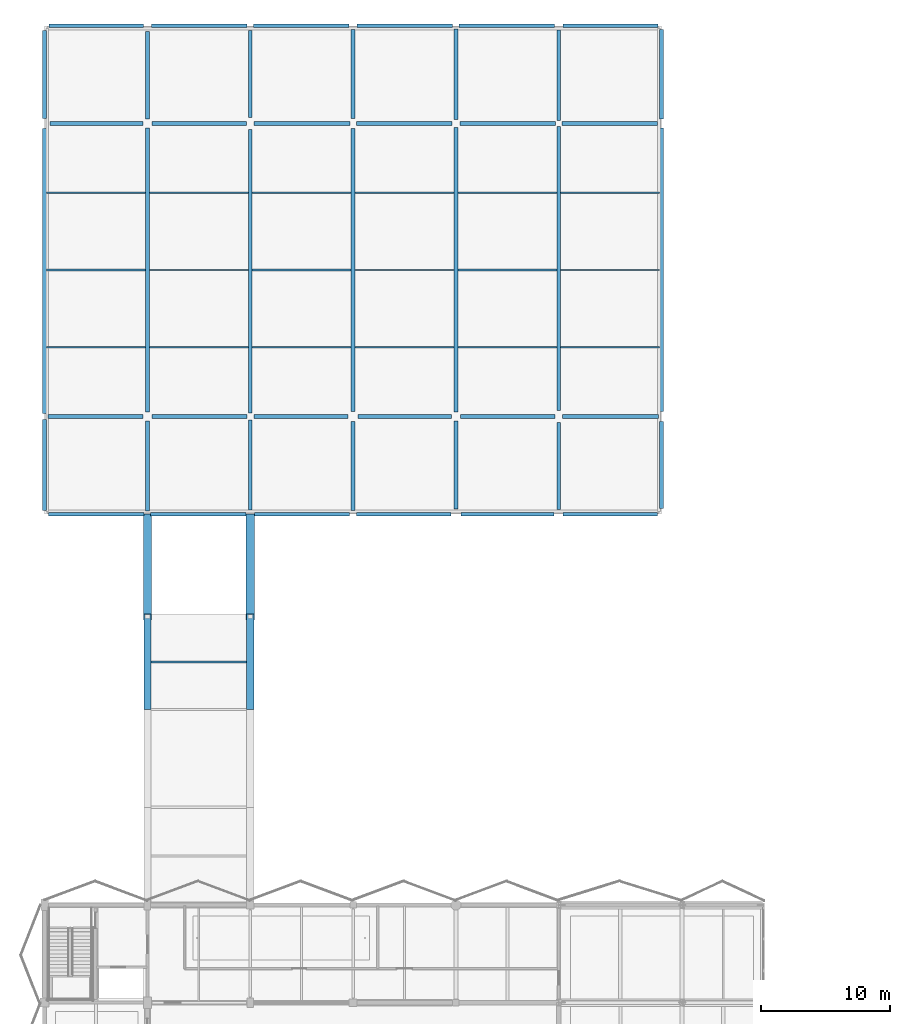
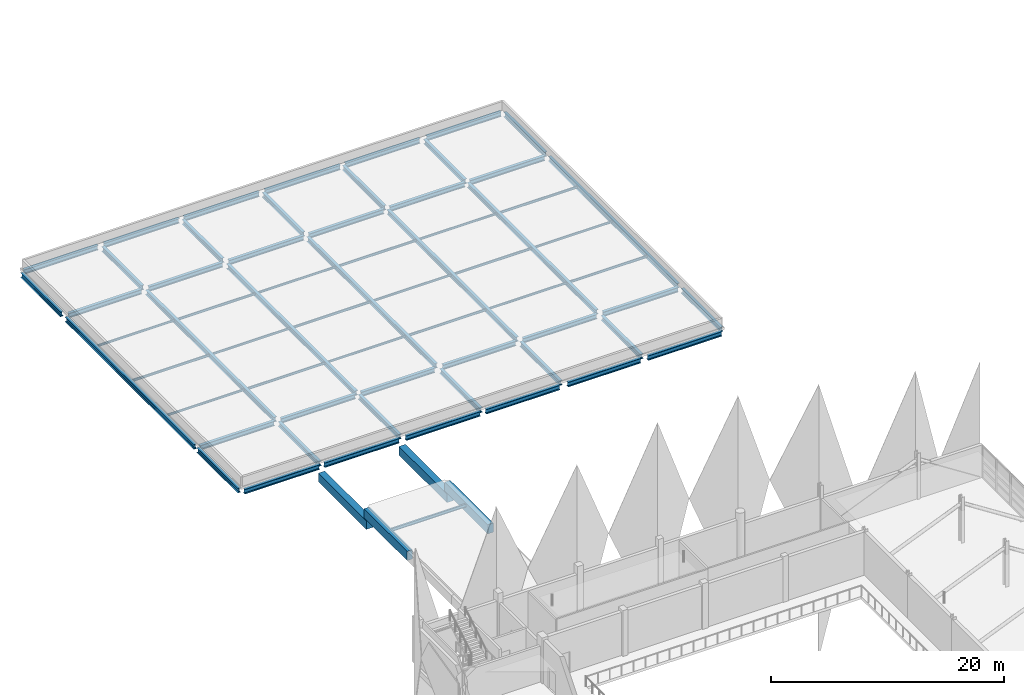
# One storey, part 24 of 107: 50 beams, 18 members.
"""IFC4 building model written with IfcOpenShell, lengths in metres."""

from ifc_helpers import new_model, si_unit, direction, frame, origin, origin_2d, place, context, subcontext, project, spatial, rectangle, i_section, extrude, material, material_profile, profile_set, type_object, element, save


model = new_model("IFC4")

# Units and contexts
model_context = context("Model", 3, precision=1e-05, world=origin(), true_north=direction((0.0, 1.0)))
body_context = subcontext(model_context, "Body", "Model", "MODEL_VIEW")
ifc_project = project(units=[si_unit("LENGTHUNIT", "METRE"), si_unit("AREAUNIT", "SQUARE_METRE"), si_unit("VOLUMEUNIT", "CUBIC_METRE"), si_unit("PLANEANGLEUNIT", "RADIAN"), si_unit("MASSUNIT", "GRAM", prefix="KILO")], contexts=[model_context])

# Site, building, storey
site_placement = place(None, origin())
site = spatial("IfcSite", under=ifc_project, at=site_placement, CompositionType="ELEMENT")
building_placement = place(site_placement, origin())
building = spatial("IfcBuilding", under=site, at=building_placement, Name="Khelvaren Railside Concert Hall", CompositionType="ELEMENT")
storey_placement = place(building_placement, frame((0.0, 0.0, 15.0)))
storey = spatial("IfcBuildingStorey", under=building, at=storey_placement, Name="L03", CompositionType="ELEMENT", Elevation=15.0)

# Beams
ifc_material_1 = material(Name="Concrete C40/50", Category="concrete")
ifc_material_profile_1 = material_profile(ifc_material_1, rectangle(XDim=0.64990234375, YDim=0.89990234375, at=origin_2d()), Name="RCB 650x900")
ifc_profile_set_1 = profile_set([ifc_material_profile_1], Name="Concrete C40/50")
beam_type_1 = type_object("IfcBeamType", Name="BM18", PredefinedType="BEAM", material=ifc_profile_set_1)
for number, where, z_axis, x_axis, name in (
    (1, (8.0, 67.75, -1.639892578125), (0.0, 1.0, 0.0), (-1.0, 0.0, 0.0), "West Court Chamber Link Bridge L03 Seismic Corbel Seat 1"),
    (2, (16.0, 67.75, -1.639892578125), (0.0, 1.0, 0.0), (-1.0, 0.0, 0.0), "West Court Chamber Link Bridge L03 Seismic Corbel Seat 2"),
):
    element("IfcBeam", number, at=place(storey_placement, frame(where, z_axis=z_axis, x_axis=x_axis)), inside=storey, type_object=beam_type_1, Name=name, PredefinedType="BEAM", context=body_context, shape_type="SweptSolid", body=[
        extrude(rectangle(XDim=0.64990234375, YDim=0.89990234375, at=origin_2d()), origin(), (0.0, 0.0, 1.0), 8.25),
    ])
ifc_material_2 = material(Name="Steel S355", Category="steel")
ifc_material_profile_2 = material_profile(ifc_material_2, i_section(OverallWidth=0.300048828125, OverallDepth=0.489990234375, WebThickness=0.011962890625, FlangeThickness=0.02294921875, FilletRadius=0.027099609375, at=origin_2d()), Name="HEA 500")
ifc_profile_set_2 = profile_set([ifc_material_profile_2], Name="Steel S355")
beam_type_2 = type_object("IfcBeamType", Name="BM92", PredefinedType="BEAM", material=ifc_profile_set_2)
beam_1_placement = place(storey_placement, frame((0.0, 76.300048828125, -0.485107421875), z_axis=(0.0, 1.0, 0.0), x_axis=(-1.0, 0.0, 0.0)))
element("IfcBeam", 3, at=beam_1_placement, inside=storey, type_object=beam_type_2, Name="V4 Acoustic Roof Girder X=0 (76.0-83.6)", PredefinedType="BEAM", context=body_context, shape_type="SweptSolid", body=[
    extrude(i_section(OverallWidth=0.300048828125, OverallDepth=0.489990234375, WebThickness=0.011962890625, FlangeThickness=0.02294921875, FilletRadius=0.027099609375, at=origin_2d()), origin(), (0.0, 0.0, 1.0), 7.050048828125),
])
beam_2_placement = place(storey_placement, frame((0.0, 83.85009765625, -0.485107421875), z_axis=(0.0, 1.0, 0.0), x_axis=(-1.0, 0.0, 0.0)))
element("IfcBeam", 4, at=beam_2_placement, inside=storey, type_object=beam_type_2, Name="V4 Acoustic Roof Girder X=0 (83.6-106.4)", PredefinedType="BEAM", context=body_context, shape_type="SweptSolid", body=[
    extrude(i_section(OverallWidth=0.300048828125, OverallDepth=0.489990234375, WebThickness=0.011962890625, FlangeThickness=0.02294921875, FilletRadius=0.027099609375, at=origin_2d()), origin(), (0.0, 0.0, 1.0), 22.14990234375),
])
beam_3_placement = place(storey_placement, frame((0.0, 106.800048828125, -0.485107421875), z_axis=(0.0, 1.0, 0.0), x_axis=(-1.0, 0.0, 0.0)))
element("IfcBeam", 5, at=beam_3_placement, inside=storey, type_object=beam_type_2, Name="V4 Acoustic Roof Girder X=0 (106.4-114.0)", PredefinedType="BEAM", context=body_context, shape_type="SweptSolid", body=[
    extrude(i_section(OverallWidth=0.300048828125, OverallDepth=0.489990234375, WebThickness=0.011962890625, FlangeThickness=0.02294921875, FilletRadius=0.027099609375, at=origin_2d()), origin(), (0.0, 0.0, 1.0), 6.849853515625),
])
beam_4_placement = place(storey_placement, frame((8.0, 76.25, -0.485107421875), z_axis=(0.0, 1.0, 0.0), x_axis=(-1.0, 0.0, 0.0)))
element("IfcBeam", 6, at=beam_4_placement, inside=storey, type_object=beam_type_2, Name="V4 Acoustic Roof Girder X=8 (76.0-83.6)", PredefinedType="BEAM", context=body_context, shape_type="SweptSolid", body=[
    extrude(i_section(OverallWidth=0.300048828125, OverallDepth=0.489990234375, WebThickness=0.011962890625, FlangeThickness=0.02294921875, FilletRadius=0.027099609375, at=origin_2d()), origin(), (0.0, 0.0, 1.0), 7.013916015625),
])
beam_5_placement = place(storey_placement, frame((8.0, 83.93603515625, -0.485107421875), z_axis=(0.0, 1.0, 0.0), x_axis=(-1.0, 0.0, 0.0)))
element("IfcBeam", 7, at=beam_5_placement, inside=storey, type_object=beam_type_2, Name="V4 Acoustic Roof Girder X=8 (83.6-106.4)", PredefinedType="BEAM", context=body_context, shape_type="SweptSolid", body=[
    extrude(i_section(OverallWidth=0.300048828125, OverallDepth=0.489990234375, WebThickness=0.011962890625, FlangeThickness=0.02294921875, FilletRadius=0.027099609375, at=origin_2d()), origin(), (0.0, 0.0, 1.0), 22.114013671875),
])
beam_6_placement = place(storey_placement, frame((8.0, 106.75, -0.485107421875), z_axis=(0.0, 1.0, 0.0), x_axis=(-1.0, 0.0, 0.0)))
element("IfcBeam", 8, at=beam_6_placement, inside=storey, type_object=beam_type_2, Name="V4 Acoustic Roof Girder X=8 (106.4-114.0)", PredefinedType="BEAM", context=body_context, shape_type="SweptSolid", body=[
    extrude(i_section(OverallWidth=0.300048828125, OverallDepth=0.489990234375, WebThickness=0.011962890625, FlangeThickness=0.02294921875, FilletRadius=0.027099609375, at=origin_2d()), origin(), (0.0, 0.0, 1.0), 6.800048828125),
])
beam_7_placement = place(storey_placement, frame((16.0, 76.3359375, -0.485107421875), z_axis=(0.0, 1.0, 0.0), x_axis=(-1.0, 0.0, 0.0)))
element("IfcBeam", 9, at=beam_7_placement, inside=storey, type_object=beam_type_2, Name="V4 Acoustic Roof Girder X=16 (76.0-83.6)", PredefinedType="BEAM", context=body_context, shape_type="SweptSolid", body=[
    extrude(i_section(OverallWidth=0.300048828125, OverallDepth=0.489990234375, WebThickness=0.011962890625, FlangeThickness=0.02294921875, FilletRadius=0.027099609375, at=origin_2d()), origin(), (0.0, 0.0, 1.0), 6.990966796875),
])
beam_8_placement = place(storey_placement, frame((16.0, 83.873046875, -0.485107421875), z_axis=(0.0, 1.0, 0.0), x_axis=(-1.0, 0.0, 0.0)))
element("IfcBeam", 10, at=beam_8_placement, inside=storey, type_object=beam_type_2, Name="V4 Acoustic Roof Girder X=16 (83.6-106.4)", PredefinedType="BEAM", context=body_context, shape_type="SweptSolid", body=[
    extrude(i_section(OverallWidth=0.300048828125, OverallDepth=0.489990234375, WebThickness=0.011962890625, FlangeThickness=0.02294921875, FilletRadius=0.027099609375, at=origin_2d()), origin(), (0.0, 0.0, 1.0), 22.076904296875),
])
beam_9_placement = place(storey_placement, frame((16.0, 106.85009765625, -0.485107421875), z_axis=(0.0, 1.0, 0.0), x_axis=(-1.0, 0.0, 0.0)))
element("IfcBeam", 11, at=beam_9_placement, inside=storey, type_object=beam_type_2, Name="V4 Acoustic Roof Girder X=16 (106.4-114.0)", PredefinedType="BEAM", context=body_context, shape_type="SweptSolid", body=[
    extrude(i_section(OverallWidth=0.300048828125, OverallDepth=0.489990234375, WebThickness=0.011962890625, FlangeThickness=0.02294921875, FilletRadius=0.027099609375, at=origin_2d()), origin(), (0.0, 0.0, 1.0), 6.77490234375),
])
beam_10_placement = place(storey_placement, frame((24.0, 76.27294921875, -0.485107421875), z_axis=(0.0, 1.0, 0.0), x_axis=(-1.0, 0.0, 0.0)))
element("IfcBeam", 12, at=beam_10_placement, inside=storey, type_object=beam_type_2, Name="V4 Acoustic Roof Girder X=24 (76.0-83.6)", PredefinedType="BEAM", context=body_context, shape_type="SweptSolid", body=[
    extrude(i_section(OverallWidth=0.300048828125, OverallDepth=0.489990234375, WebThickness=0.011962890625, FlangeThickness=0.02294921875, FilletRadius=0.027099609375, at=origin_2d()), origin(), (0.0, 0.0, 1.0), 6.927001953125),
])
beam_11_placement = place(storey_placement, frame((24.0, 84.0, -0.485107421875), z_axis=(0.0, 1.0, 0.0), x_axis=(-1.0, 0.0, 0.0)))
element("IfcBeam", 13, at=beam_11_placement, inside=storey, type_object=beam_type_2, Name="V4 Acoustic Roof Girder X=24 (83.6-106.4)", PredefinedType="BEAM", context=body_context, shape_type="SweptSolid", body=[
    extrude(i_section(OverallWidth=0.300048828125, OverallDepth=0.489990234375, WebThickness=0.011962890625, FlangeThickness=0.02294921875, FilletRadius=0.027099609375, at=origin_2d()), origin(), (0.0, 0.0, 1.0), 22.02490234375),
])
beam_12_placement = place(storey_placement, frame((24.0, 106.77490234375, -0.485107421875), z_axis=(0.0, 1.0, 0.0), x_axis=(-1.0, 0.0, 0.0)))
element("IfcBeam", 14, at=beam_12_placement, inside=storey, type_object=beam_type_2, Name="V4 Acoustic Roof Girder X=24 (106.4-114.0)", PredefinedType="BEAM", context=body_context, shape_type="SweptSolid", body=[
    extrude(i_section(OverallWidth=0.300048828125, OverallDepth=0.489990234375, WebThickness=0.011962890625, FlangeThickness=0.02294921875, FilletRadius=0.027099609375, at=origin_2d()), origin(), (0.0, 0.0, 1.0), 6.925048828125),
])
beam_13_placement = place(storey_placement, frame((32.0, 76.39990234375, -0.485107421875), z_axis=(0.0, 1.0, 0.0), x_axis=(-1.0, 0.0, 0.0)))
element("IfcBeam", 15, at=beam_13_placement, inside=storey, type_object=beam_type_2, Name="V4 Acoustic Roof Girder X=32 (76.0-83.6)", PredefinedType="BEAM", context=body_context, shape_type="SweptSolid", body=[
    extrude(i_section(OverallWidth=0.300048828125, OverallDepth=0.489990234375, WebThickness=0.011962890625, FlangeThickness=0.02294921875, FilletRadius=0.027099609375, at=origin_2d()), origin(), (0.0, 0.0, 1.0), 6.85009765625),
])
beam_14_placement = place(storey_placement, frame((32.0, 83.949951171875, -0.485107421875), z_axis=(0.0, 1.0, 0.0), x_axis=(-1.0, 0.0, 0.0)))
element("IfcBeam", 16, at=beam_14_placement, inside=storey, type_object=beam_type_2, Name="V4 Acoustic Roof Girder X=32 (83.6-106.4)", PredefinedType="BEAM", context=body_context, shape_type="SweptSolid", body=[
    extrude(i_section(OverallWidth=0.300048828125, OverallDepth=0.489990234375, WebThickness=0.011962890625, FlangeThickness=0.02294921875, FilletRadius=0.027099609375, at=origin_2d()), origin(), (0.0, 0.0, 1.0), 22.150146484375),
])
beam_15_placement = place(storey_placement, frame((32.0, 106.699951171875, -0.485107421875), z_axis=(0.0, 1.0, 0.0), x_axis=(-1.0, 0.0, 0.0)))
element("IfcBeam", 17, at=beam_15_placement, inside=storey, type_object=beam_type_2, Name="V4 Acoustic Roof Girder X=32 (106.4-114.0)", PredefinedType="BEAM", context=body_context, shape_type="SweptSolid", body=[
    extrude(i_section(OverallWidth=0.300048828125, OverallDepth=0.489990234375, WebThickness=0.011962890625, FlangeThickness=0.02294921875, FilletRadius=0.027099609375, at=origin_2d()), origin(), (0.0, 0.0, 1.0), 7.050048828125),
])
beam_16_placement = place(storey_placement, frame((40.0, 76.35009765625, -0.485107421875), z_axis=(0.0, 1.0, 0.0), x_axis=(-1.0, 0.0, 0.0)))
element("IfcBeam", 18, at=beam_16_placement, inside=storey, type_object=beam_type_2, Name="V4 Acoustic Roof Girder X=40 (76.0-83.6)", PredefinedType="BEAM", context=body_context, shape_type="SweptSolid", body=[
    extrude(i_section(OverallWidth=0.300048828125, OverallDepth=0.489990234375, WebThickness=0.011962890625, FlangeThickness=0.02294921875, FilletRadius=0.027099609375, at=origin_2d()), origin(), (0.0, 0.0, 1.0), 6.7998046875),
])
beam_17_placement = place(storey_placement, frame((40.0, 84.050048828125, -0.485107421875), z_axis=(0.0, 1.0, 0.0), x_axis=(-1.0, 0.0, 0.0)))
element("IfcBeam", 19, at=beam_17_placement, inside=storey, type_object=beam_type_2, Name="V4 Acoustic Roof Girder X=40 (83.6-106.4)", PredefinedType="BEAM", context=body_context, shape_type="SweptSolid", body=[
    extrude(i_section(OverallWidth=0.300048828125, OverallDepth=0.489990234375, WebThickness=0.011962890625, FlangeThickness=0.02294921875, FilletRadius=0.027099609375, at=origin_2d()), origin(), (0.0, 0.0, 1.0), 22.099853515625),
])
beam_18_placement = place(storey_placement, frame((40.0, 106.64990234375, -0.485107421875), z_axis=(0.0, 1.0, 0.0), x_axis=(-1.0, 0.0, 0.0)))
element("IfcBeam", 20, at=beam_18_placement, inside=storey, type_object=beam_type_2, Name="V4 Acoustic Roof Girder X=40 (106.4-114.0)", PredefinedType="BEAM", context=body_context, shape_type="SweptSolid", body=[
    extrude(i_section(OverallWidth=0.300048828125, OverallDepth=0.489990234375, WebThickness=0.011962890625, FlangeThickness=0.02294921875, FilletRadius=0.027099609375, at=origin_2d()), origin(), (0.0, 0.0, 1.0), 7.01416015625),
])
beam_19_placement = place(storey_placement, frame((48.0, 76.449951171875, -0.485107421875), z_axis=(0.0, 1.0, 0.0), x_axis=(-1.0, 0.0, 0.0)))
element("IfcBeam", 21, at=beam_19_placement, inside=storey, type_object=beam_type_2, Name="V4 Acoustic Roof Girder X=48 (76.0-83.6)", PredefinedType="BEAM", context=body_context, shape_type="SweptSolid", body=[
    extrude(i_section(OverallWidth=0.300048828125, OverallDepth=0.489990234375, WebThickness=0.011962890625, FlangeThickness=0.02294921875, FilletRadius=0.027099609375, at=origin_2d()), origin(), (0.0, 0.0, 1.0), 6.775146484375),
])
beam_20_placement = place(storey_placement, frame((48.0, 83.97509765625, -0.485107421875), z_axis=(0.0, 1.0, 0.0), x_axis=(-1.0, 0.0, 0.0)))
element("IfcBeam", 22, at=beam_20_placement, inside=storey, type_object=beam_type_2, Name="V4 Acoustic Roof Girder X=48 (83.6-106.4)", PredefinedType="BEAM", context=body_context, shape_type="SweptSolid", body=[
    extrude(i_section(OverallWidth=0.300048828125, OverallDepth=0.489990234375, WebThickness=0.011962890625, FlangeThickness=0.02294921875, FilletRadius=0.027099609375, at=origin_2d()), origin(), (0.0, 0.0, 1.0), 22.0888671875),
])
beam_21_placement = place(storey_placement, frame((48.0, 106.736083984375, -0.485107421875), z_axis=(0.0, 1.0, 0.0), x_axis=(-1.0, 0.0, 0.0)))
element("IfcBeam", 23, at=beam_21_placement, inside=storey, type_object=beam_type_2, Name="V4 Acoustic Roof Girder X=48 (106.4-114.0)", PredefinedType="BEAM", context=body_context, shape_type="SweptSolid", body=[
    extrude(i_section(OverallWidth=0.300048828125, OverallDepth=0.489990234375, WebThickness=0.011962890625, FlangeThickness=0.02294921875, FilletRadius=0.027099609375, at=origin_2d()), origin(), (0.0, 0.0, 1.0), 6.990966796875),
])
beam_22_placement = place(storey_placement, frame((0.300048828125, 76.0, -0.485107421875), z_axis=(1.0, 0.0, 0.0), x_axis=(0.0, 1.0, 0.0)))
element("IfcBeam", 24, at=beam_22_placement, inside=storey, type_object=beam_type_2, Name="V4 Roof Edge Beam Y=76.0 (0-8)", PredefinedType="BEAM", context=body_context, shape_type="SweptSolid", body=[
    extrude(i_section(OverallWidth=0.300048828125, OverallDepth=0.489990234375, WebThickness=0.011962890625, FlangeThickness=0.02294921875, FilletRadius=0.027099609375, at=origin_2d()), origin(), (0.0, 0.0, 1.0), 7.449951171875),
])
beam_23_placement = place(storey_placement, frame((8.25, 76.0, -0.485107421875), z_axis=(1.0, 0.0, 0.0), x_axis=(0.0, 1.0, 0.0)))
element("IfcBeam", 25, at=beam_23_placement, inside=storey, type_object=beam_type_2, Name="V4 Roof Edge Beam Y=76.0 (8-16)", PredefinedType="BEAM", context=body_context, shape_type="SweptSolid", body=[
    extrude(i_section(OverallWidth=0.300048828125, OverallDepth=0.489990234375, WebThickness=0.011962890625, FlangeThickness=0.02294921875, FilletRadius=0.027099609375, at=origin_2d()), origin(), (0.0, 0.0, 1.0), 7.4140625),
])
beam_24_placement = place(storey_placement, frame((16.3359375, 76.0, -0.485107421875), z_axis=(1.0, 0.0, 0.0), x_axis=(0.0, 1.0, 0.0)))
element("IfcBeam", 26, at=beam_24_placement, inside=storey, type_object=beam_type_2, Name="V4 Roof Edge Beam Y=76.0 (16-24)", PredefinedType="BEAM", context=body_context, shape_type="SweptSolid", body=[
    extrude(i_section(OverallWidth=0.300048828125, OverallDepth=0.489990234375, WebThickness=0.011962890625, FlangeThickness=0.02294921875, FilletRadius=0.027099609375, at=origin_2d()), origin(), (0.0, 0.0, 1.0), 7.39111328125),
])
beam_25_placement = place(storey_placement, frame((24.27294921875, 76.0, -0.485107421875), z_axis=(1.0, 0.0, 0.0), x_axis=(0.0, 1.0, 0.0)))
element("IfcBeam", 27, at=beam_25_placement, inside=storey, type_object=beam_type_2, Name="V4 Roof Edge Beam Y=76.0 (24-32)", PredefinedType="BEAM", context=body_context, shape_type="SweptSolid", body=[
    extrude(i_section(OverallWidth=0.300048828125, OverallDepth=0.489990234375, WebThickness=0.011962890625, FlangeThickness=0.02294921875, FilletRadius=0.027099609375, at=origin_2d()), origin(), (0.0, 0.0, 1.0), 7.3271484375),
])
beam_26_placement = place(storey_placement, frame((32.39990234375, 76.0, -0.485107421875), z_axis=(1.0, 0.0, 0.0), x_axis=(0.0, 1.0, 0.0)))
element("IfcBeam", 28, at=beam_26_placement, inside=storey, type_object=beam_type_2, Name="V4 Roof Edge Beam Y=76.0 (32-40)", PredefinedType="BEAM", context=body_context, shape_type="SweptSolid", body=[
    extrude(i_section(OverallWidth=0.300048828125, OverallDepth=0.489990234375, WebThickness=0.011962890625, FlangeThickness=0.02294921875, FilletRadius=0.027099609375, at=origin_2d()), origin(), (0.0, 0.0, 1.0), 7.25),
])
beam_27_placement = place(storey_placement, frame((40.35009765625, 76.0, -0.485107421875), z_axis=(1.0, 0.0, 0.0), x_axis=(0.0, 1.0, 0.0)))
element("IfcBeam", 29, at=beam_27_placement, inside=storey, type_object=beam_type_2, Name="V4 Roof Edge Beam Y=76.0 (40-48)", PredefinedType="BEAM", context=body_context, shape_type="SweptSolid", body=[
    extrude(i_section(OverallWidth=0.300048828125, OverallDepth=0.489990234375, WebThickness=0.011962890625, FlangeThickness=0.02294921875, FilletRadius=0.027099609375, at=origin_2d()), origin(), (0.0, 0.0, 1.0), 7.349853515625),
])
beam_28_placement = place(storey_placement, frame((0.25, 83.60009765625, -0.485107421875), z_axis=(1.0, 0.0, 0.0), x_axis=(0.0, 1.0, 0.0)))
element("IfcBeam", 30, at=beam_28_placement, inside=storey, type_object=beam_type_2, Name="V4 Roof Edge Beam Y=83.6 (0-8)", PredefinedType="BEAM", context=body_context, shape_type="SweptSolid", body=[
    extrude(i_section(OverallWidth=0.300048828125, OverallDepth=0.489990234375, WebThickness=0.011962890625, FlangeThickness=0.02294921875, FilletRadius=0.027099609375, at=origin_2d()), origin(), (0.0, 0.0, 1.0), 7.4140625),
])
beam_29_placement = place(storey_placement, frame((8.3359375, 83.60009765625, -0.485107421875), z_axis=(1.0, 0.0, 0.0), x_axis=(0.0, 1.0, 0.0)))
element("IfcBeam", 31, at=beam_29_placement, inside=storey, type_object=beam_type_2, Name="V4 Roof Edge Beam Y=83.6 (8-16)", PredefinedType="BEAM", context=body_context, shape_type="SweptSolid", body=[
    extrude(i_section(OverallWidth=0.300048828125, OverallDepth=0.489990234375, WebThickness=0.011962890625, FlangeThickness=0.02294921875, FilletRadius=0.027099609375, at=origin_2d()), origin(), (0.0, 0.0, 1.0), 7.39111328125),
])
beam_30_placement = place(storey_placement, frame((16.27294921875, 83.60009765625, -0.485107421875), z_axis=(1.0, 0.0, 0.0), x_axis=(0.0, 1.0, 0.0)))
element("IfcBeam", 32, at=beam_30_placement, inside=storey, type_object=beam_type_2, Name="V4 Roof Edge Beam Y=83.6 (16-24)", PredefinedType="BEAM", context=body_context, shape_type="SweptSolid", body=[
    extrude(i_section(OverallWidth=0.300048828125, OverallDepth=0.489990234375, WebThickness=0.011962890625, FlangeThickness=0.02294921875, FilletRadius=0.027099609375, at=origin_2d()), origin(), (0.0, 0.0, 1.0), 7.3271484375),
])
beam_31_placement = place(storey_placement, frame((24.39990234375, 83.60009765625, -0.485107421875), z_axis=(1.0, 0.0, 0.0), x_axis=(0.0, 1.0, 0.0)))
element("IfcBeam", 33, at=beam_31_placement, inside=storey, type_object=beam_type_2, Name="V4 Roof Edge Beam Y=83.6 (24-32)", PredefinedType="BEAM", context=body_context, shape_type="SweptSolid", body=[
    extrude(i_section(OverallWidth=0.300048828125, OverallDepth=0.489990234375, WebThickness=0.011962890625, FlangeThickness=0.02294921875, FilletRadius=0.027099609375, at=origin_2d()), origin(), (0.0, 0.0, 1.0), 7.25),
])
beam_32_placement = place(storey_placement, frame((32.35009765625, 83.60009765625, -0.485107421875), z_axis=(1.0, 0.0, 0.0), x_axis=(0.0, 1.0, 0.0)))
element("IfcBeam", 34, at=beam_32_placement, inside=storey, type_object=beam_type_2, Name="V4 Roof Edge Beam Y=83.6 (32-40)", PredefinedType="BEAM", context=body_context, shape_type="SweptSolid", body=[
    extrude(i_section(OverallWidth=0.300048828125, OverallDepth=0.489990234375, WebThickness=0.011962890625, FlangeThickness=0.02294921875, FilletRadius=0.027099609375, at=origin_2d()), origin(), (0.0, 0.0, 1.0), 7.349853515625),
])
beam_33_placement = place(storey_placement, frame((40.300048828125, 83.60009765625, -0.485107421875), z_axis=(1.0, 0.0, 0.0), x_axis=(0.0, 1.0, 0.0)))
element("IfcBeam", 35, at=beam_33_placement, inside=storey, type_object=beam_type_2, Name="V4 Roof Edge Beam Y=83.6 (40-48)", PredefinedType="BEAM", context=body_context, shape_type="SweptSolid", body=[
    extrude(i_section(OverallWidth=0.300048828125, OverallDepth=0.489990234375, WebThickness=0.011962890625, FlangeThickness=0.02294921875, FilletRadius=0.027099609375, at=origin_2d()), origin(), (0.0, 0.0, 1.0), 7.449951171875),
])
beam_34_placement = place(storey_placement, frame((0.39990234375, 106.39990234375, -0.485107421875), z_axis=(1.0, 0.0, 0.0), x_axis=(0.0, 1.0, 0.0)))
element("IfcBeam", 36, at=beam_34_placement, inside=storey, type_object=beam_type_2, Name="V4 Roof Edge Beam Y=106.4 (0-8)", PredefinedType="BEAM", context=body_context, shape_type="SweptSolid", body=[
    extrude(i_section(OverallWidth=0.300048828125, OverallDepth=0.489990234375, WebThickness=0.011962890625, FlangeThickness=0.02294921875, FilletRadius=0.027099609375, at=origin_2d()), origin(), (0.0, 0.0, 1.0), 7.25),
])
beam_35_placement = place(storey_placement, frame((8.35009765625, 106.39990234375, -0.485107421875), z_axis=(1.0, 0.0, 0.0), x_axis=(0.0, 1.0, 0.0)))
element("IfcBeam", 37, at=beam_35_placement, inside=storey, type_object=beam_type_2, Name="V4 Roof Edge Beam Y=106.4 (8-16)", PredefinedType="BEAM", context=body_context, shape_type="SweptSolid", body=[
    extrude(i_section(OverallWidth=0.300048828125, OverallDepth=0.489990234375, WebThickness=0.011962890625, FlangeThickness=0.02294921875, FilletRadius=0.027099609375, at=origin_2d()), origin(), (0.0, 0.0, 1.0), 7.349853515625),
])
for number, where, z_axis, x_axis, name in (
    (38, (16.300048828125, 106.39990234375, -0.485107421875), (1.0, 0.0, 0.0), (0.0, 1.0, 0.0), "V4 Roof Edge Beam Y=106.4 (16-24)"),
    (39, (24.25, 106.39990234375, -0.485107421875), (1.0, 0.0, 0.0), (0.0, 1.0, 0.0), "V4 Roof Edge Beam Y=106.4 (24-32)"),
    (40, (32.300048828125, 106.39990234375, -0.485107421875), (1.0, 0.0, 0.0), (0.0, 1.0, 0.0), "V4 Roof Edge Beam Y=106.4 (32-40)"),
):
    element("IfcBeam", number, at=place(storey_placement, frame(where, z_axis=z_axis, x_axis=x_axis)), inside=storey, type_object=beam_type_2, Name=name, PredefinedType="BEAM", context=body_context, shape_type="SweptSolid", body=[
        extrude(i_section(OverallWidth=0.300048828125, OverallDepth=0.489990234375, WebThickness=0.011962890625, FlangeThickness=0.02294921875, FilletRadius=0.027099609375, at=origin_2d()), origin(), (0.0, 0.0, 1.0), 7.449951171875),
    ])
beam_36_placement = place(storey_placement, frame((40.25, 106.39990234375, -0.485107421875), z_axis=(1.0, 0.0, 0.0), x_axis=(0.0, 1.0, 0.0)))
element("IfcBeam", 41, at=beam_36_placement, inside=storey, type_object=beam_type_2, Name="V4 Roof Edge Beam Y=106.4 (40-48)", PredefinedType="BEAM", context=body_context, shape_type="SweptSolid", body=[
    extrude(i_section(OverallWidth=0.300048828125, OverallDepth=0.489990234375, WebThickness=0.011962890625, FlangeThickness=0.02294921875, FilletRadius=0.027099609375, at=origin_2d()), origin(), (0.0, 0.0, 1.0), 7.4140625),
])
beam_37_placement = place(storey_placement, frame((0.35009765625, 114.0, -0.485107421875), z_axis=(1.0, 0.0, 0.0), x_axis=(0.0, 1.0, 0.0)))
element("IfcBeam", 42, at=beam_37_placement, inside=storey, type_object=beam_type_2, Name="V4 Roof Edge Beam Y=114.0 (0-8)", PredefinedType="BEAM", context=body_context, shape_type="SweptSolid", body=[
    extrude(i_section(OverallWidth=0.300048828125, OverallDepth=0.489990234375, WebThickness=0.011962890625, FlangeThickness=0.02294921875, FilletRadius=0.027099609375, at=origin_2d()), origin(), (0.0, 0.0, 1.0), 7.349853515625),
])
for number, where, z_axis, x_axis, name in (
    (43, (8.300048828125, 114.0, -0.485107421875), (1.0, 0.0, 0.0), (0.0, 1.0, 0.0), "V4 Roof Edge Beam Y=114.0 (8-16)"),
    (44, (16.25, 114.0, -0.485107421875), (1.0, 0.0, 0.0), (0.0, 1.0, 0.0), "V4 Roof Edge Beam Y=114.0 (16-24)"),
    (45, (24.300048828125, 114.0, -0.485107421875), (1.0, 0.0, 0.0), (0.0, 1.0, 0.0), "V4 Roof Edge Beam Y=114.0 (24-32)"),
):
    element("IfcBeam", number, at=place(storey_placement, frame(where, z_axis=z_axis, x_axis=x_axis)), inside=storey, type_object=beam_type_2, Name=name, PredefinedType="BEAM", context=body_context, shape_type="SweptSolid", body=[
        extrude(i_section(OverallWidth=0.300048828125, OverallDepth=0.489990234375, WebThickness=0.011962890625, FlangeThickness=0.02294921875, FilletRadius=0.027099609375, at=origin_2d()), origin(), (0.0, 0.0, 1.0), 7.449951171875),
    ])
beam_38_placement = place(storey_placement, frame((32.25, 114.0, -0.485107421875), z_axis=(1.0, 0.0, 0.0), x_axis=(0.0, 1.0, 0.0)))
element("IfcBeam", 46, at=beam_38_placement, inside=storey, type_object=beam_type_2, Name="V4 Roof Edge Beam Y=114.0 (32-40)", PredefinedType="BEAM", context=body_context, shape_type="SweptSolid", body=[
    extrude(i_section(OverallWidth=0.300048828125, OverallDepth=0.489990234375, WebThickness=0.011962890625, FlangeThickness=0.02294921875, FilletRadius=0.027099609375, at=origin_2d()), origin(), (0.0, 0.0, 1.0), 7.4140625),
])
beam_39_placement = place(storey_placement, frame((40.3359375, 114.0, -0.485107421875), z_axis=(1.0, 0.0, 0.0), x_axis=(0.0, 1.0, 0.0)))
element("IfcBeam", 47, at=beam_39_placement, inside=storey, type_object=beam_type_2, Name="V4 Roof Edge Beam Y=114.0 (40-48)", PredefinedType="BEAM", context=body_context, shape_type="SweptSolid", body=[
    extrude(i_section(OverallWidth=0.300048828125, OverallDepth=0.489990234375, WebThickness=0.011962890625, FlangeThickness=0.02294921875, FilletRadius=0.027099609375, at=origin_2d()), origin(), (0.0, 0.0, 1.0), 7.39111328125),
])
ifc_material_profile_3 = material_profile(ifc_material_1, rectangle(XDim=0.550048828125, YDim=0.949951171875, at=origin_2d()), Name="RCB 550x950")
ifc_profile_set_3 = profile_set([ifc_material_profile_3], Name="Concrete C40/50")
beam_type_3 = type_object("IfcBeamType", Name="GR75", PredefinedType="T_BEAM", material=ifc_profile_set_3)
for number, where, z_axis, x_axis, name in (
    (48, (8.0, 60.800048828125, -0.695068359375), (0.0, 1.0, 0.0), (-1.0, 0.0, 0.0), "West Court Chamber Link Bridge L03 Bridge Girder 1.3"),
    (49, (16.0, 60.800048828125, -0.695068359375), (0.0, 1.0, 0.0), (-1.0, 0.0, 0.0), "West Court Chamber Link Bridge L03 Bridge Girder 2.3"),
):
    element("IfcBeam", number, at=place(storey_placement, frame(where, z_axis=z_axis, x_axis=x_axis)), inside=storey, type_object=beam_type_3, Name=name, PredefinedType="T_BEAM", context=body_context, shape_type="SweptSolid", body=[
        extrude(rectangle(XDim=0.550048828125, YDim=0.949951171875, at=origin_2d()), origin(), (0.0, 0.0, 1.0), 7.419921875),
    ])
ifc_material_profile_4 = material_profile(ifc_material_2, i_section(OverallWidth=0.159912109375, OverallDepth=0.330078125, WebThickness=0.007568359375, FlangeThickness=0.011474609375, FilletRadius=0.01806640625, at=origin_2d()), Name="IPE 330")
ifc_profile_set_4 = profile_set([ifc_material_profile_4], Name="Steel S355")
beam_type_4 = type_object("IfcBeamType", Name="JS65", PredefinedType="JOIST", material=ifc_profile_set_4)
beam_40_placement = place(storey_placement, frame((8.27490234375, 64.510009765625, -0.385009765625), z_axis=(1.0, 0.0, 0.0), x_axis=(0.0, 1.0, 0.0)))
element("IfcBeam", 50, at=beam_40_placement, inside=storey, type_object=beam_type_4, Name="West Court Chamber Link Bridge L03 Bridge Cross Joist 4", PredefinedType="JOIST", context=body_context, shape_type="SweptSolid", body=[
    extrude(i_section(OverallWidth=0.159912109375, OverallDepth=0.330078125, WebThickness=0.007568359375, FlangeThickness=0.011474609375, FilletRadius=0.01806640625, at=origin_2d()), origin(), (0.0, 0.0, 1.0), 7.4501953125),
])

# Members
ifc_material_profile_5 = material_profile(ifc_material_2, i_section(OverallWidth=0.110107421875, OverallDepth=0.219970703125, WebThickness=0.005859375, FlangeThickness=0.00927734375, FilletRadius=0.011962890625, at=origin_2d()), Name="IPE 220")
ifc_profile_set_5 = profile_set([ifc_material_profile_5], Name="Steel S355")
member_type_1 = type_object("IfcMemberType", Name="PR25", PredefinedType="PURLIN", material=ifc_profile_set_5)
for number, where, z_axis, x_axis, name in (
    (51, (0.14990234375, 89.0, -0.35009765625), (1.0, 0.0, 0.0), (0.0, 1.0, 0.0), "V4 Acoustic Roof Purlin 1.1"),
    (52, (0.14990234375, 101.0, -0.35009765625), (1.0, 0.0, 0.0), (0.0, 1.0, 0.0), "V4 Acoustic Roof Purlin 1.3"),
    (53, (8.14990234375, 95.0, -0.35009765625), (1.0, 0.0, 0.0), (0.0, 1.0, 0.0), "V4 Acoustic Roof Purlin 2.2"),
    (54, (16.14990234375, 89.0, -0.35009765625), (1.0, 0.0, 0.0), (0.0, 1.0, 0.0), "V4 Acoustic Roof Purlin 3.1"),
    (55, (16.14990234375, 101.0, -0.35009765625), (1.0, 0.0, 0.0), (0.0, 1.0, 0.0), "V4 Acoustic Roof Purlin 3.3"),
    (56, (24.14990234375, 95.0, -0.35009765625), (1.0, 0.0, 0.0), (0.0, 1.0, 0.0), "V4 Acoustic Roof Purlin 4.2"),
    (57, (32.14990234375, 89.0, -0.35009765625), (1.0, 0.0, 0.0), (0.0, 1.0, 0.0), "V4 Acoustic Roof Purlin 5.1"),
    (58, (32.14990234375, 101.0, -0.35009765625), (1.0, 0.0, 0.0), (0.0, 1.0, 0.0), "V4 Acoustic Roof Purlin 5.3"),
    (59, (40.14990234375, 95.0, -0.35009765625), (1.0, 0.0, 0.0), (0.0, 1.0, 0.0), "V4 Acoustic Roof Purlin 6.2"),
):
    element("IfcMember", number, at=place(storey_placement, frame(where, z_axis=z_axis, x_axis=x_axis)), inside=storey, type_object=member_type_1, Name=name, PredefinedType="PURLIN", context=body_context, shape_type="SweptSolid", body=[
        extrude(i_section(OverallWidth=0.110107421875, OverallDepth=0.219970703125, WebThickness=0.005859375, FlangeThickness=0.00927734375, FilletRadius=0.011962890625, at=origin_2d()), origin(), (0.0, 0.0, 1.0), 7.7001953125),
    ])
ifc_material_profile_6 = material_profile(ifc_material_2, i_section(OverallWidth=0.1201171875, OverallDepth=0.239990234375, WebThickness=0.006103515625, FlangeThickness=0.009765625, FilletRadius=0.014892578125, at=origin_2d()), Name="IPE 240")
ifc_profile_set_6 = profile_set([ifc_material_profile_6], Name="Steel S355")
member_type_2 = type_object("IfcMemberType", Name="PR40", PredefinedType="PURLIN", material=ifc_profile_set_6)
for number, where, z_axis, x_axis, name in (
    (60, (0.14990234375, 95.0, -0.360107421875), (1.0, 0.0, 0.0), (0.0, 1.0, 0.0), "V4 Acoustic Roof Purlin 1.2"),
    (61, (8.14990234375, 89.0, -0.360107421875), (1.0, 0.0, 0.0), (0.0, 1.0, 0.0), "V4 Acoustic Roof Purlin 2.1"),
    (62, (8.14990234375, 101.0, -0.360107421875), (1.0, 0.0, 0.0), (0.0, 1.0, 0.0), "V4 Acoustic Roof Purlin 2.3"),
    (63, (16.14990234375, 95.0, -0.360107421875), (1.0, 0.0, 0.0), (0.0, 1.0, 0.0), "V4 Acoustic Roof Purlin 3.2"),
    (64, (24.14990234375, 89.0, -0.360107421875), (1.0, 0.0, 0.0), (0.0, 1.0, 0.0), "V4 Acoustic Roof Purlin 4.1"),
    (65, (24.14990234375, 101.0, -0.360107421875), (1.0, 0.0, 0.0), (0.0, 1.0, 0.0), "V4 Acoustic Roof Purlin 4.3"),
    (66, (32.14990234375, 95.0, -0.360107421875), (1.0, 0.0, 0.0), (0.0, 1.0, 0.0), "V4 Acoustic Roof Purlin 5.2"),
    (67, (40.14990234375, 89.0, -0.360107421875), (1.0, 0.0, 0.0), (0.0, 1.0, 0.0), "V4 Acoustic Roof Purlin 6.1"),
    (68, (40.14990234375, 101.0, -0.360107421875), (1.0, 0.0, 0.0), (0.0, 1.0, 0.0), "V4 Acoustic Roof Purlin 6.3"),
):
    element("IfcMember", number, at=place(storey_placement, frame(where, z_axis=z_axis, x_axis=x_axis)), inside=storey, type_object=member_type_2, Name=name, PredefinedType="PURLIN", context=body_context, shape_type="SweptSolid", body=[
        extrude(i_section(OverallWidth=0.1201171875, OverallDepth=0.239990234375, WebThickness=0.006103515625, FlangeThickness=0.009765625, FilletRadius=0.014892578125, at=origin_2d()), origin(), (0.0, 0.0, 1.0), 7.7001953125),
    ])

save(model, "model.ifc")
